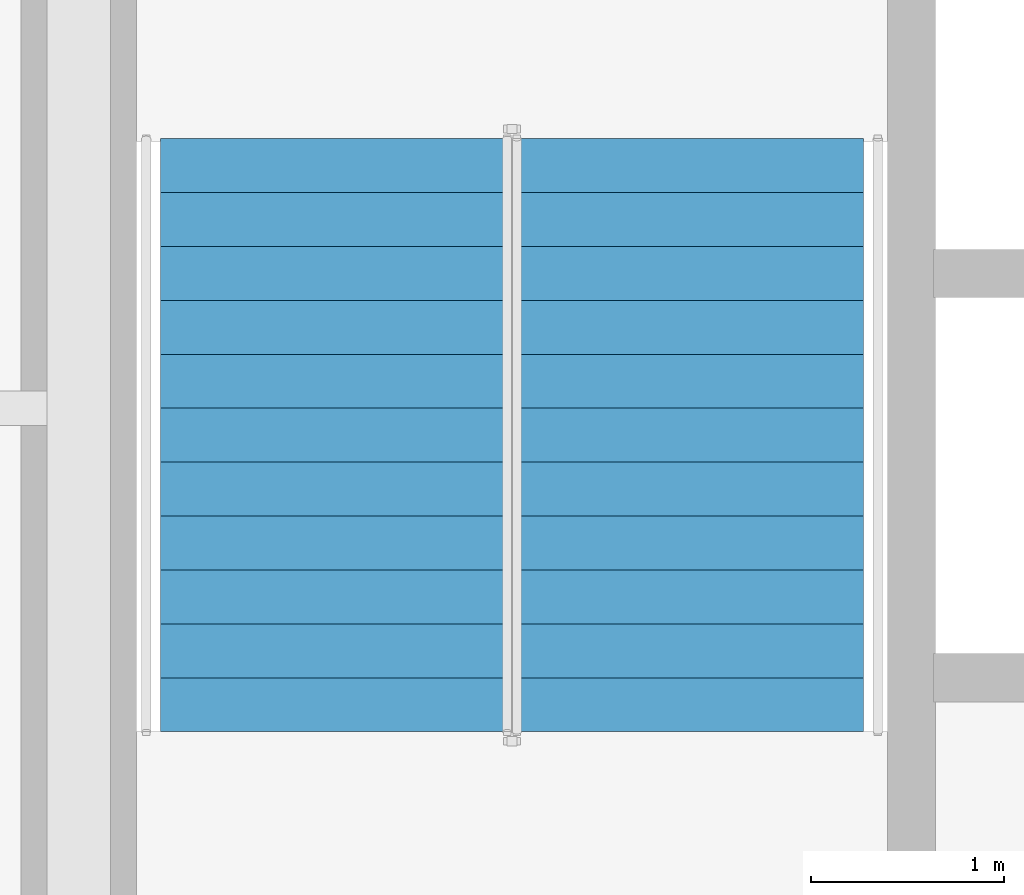
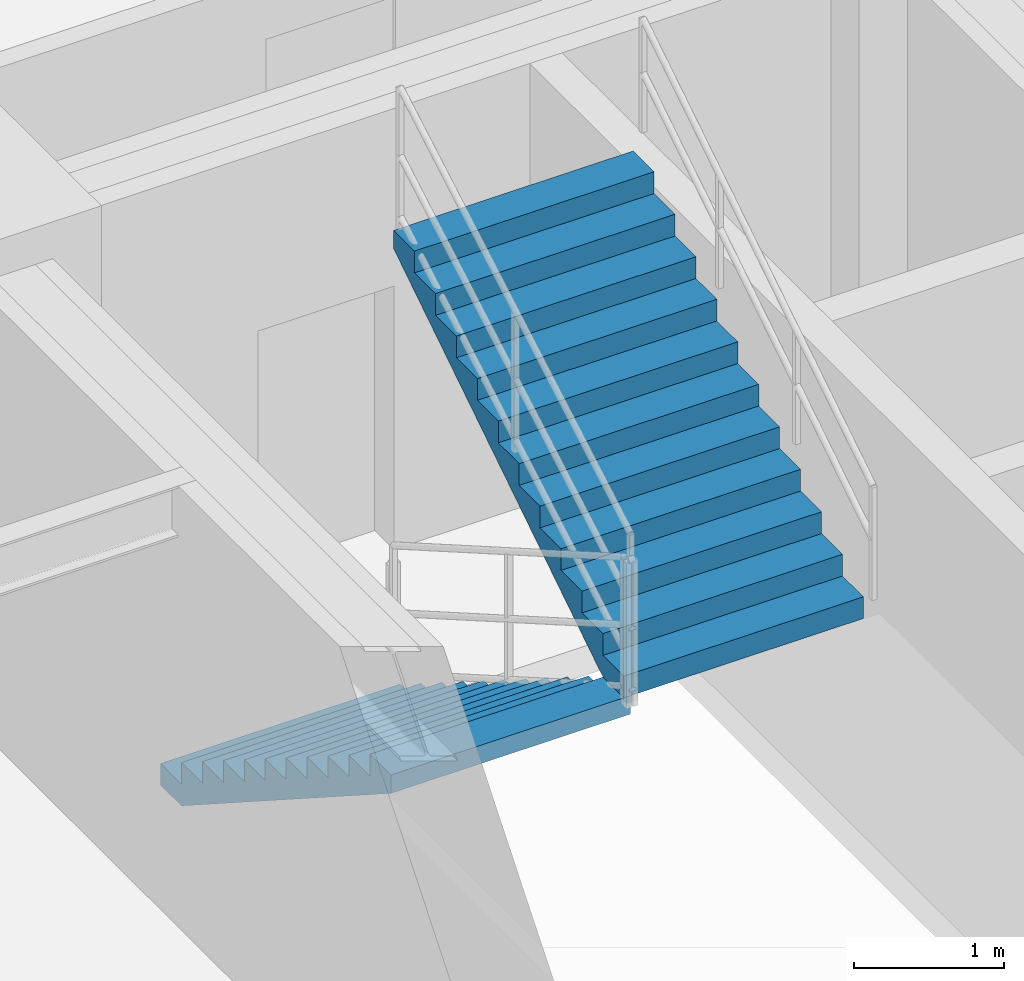
# One storey, part 7 of 10: 2 stair flights, 1 element without a shape of its own.
"""IFC4 building model written with IfcOpenShell, lengths in metres."""

from ifc_helpers import new_model, entity, si_unit, converted_unit, direction, frame, origin_with_axes, place, context, subcontext, project, spatial, polyline, outline, extrude, material, type_object, element, aggregate, save


model = new_model("IFC4")

# Units and contexts
model_context = context("Model", 3, precision=1e-05, world=origin_with_axes(), true_north=direction((0.0, 1.0)))
body_context = subcontext(model_context, "Body", "Model", "MODEL_VIEW")
ifc_project = project(units=[si_unit("LENGTHUNIT", "METRE"), si_unit("AREAUNIT", "SQUARE_METRE"), si_unit("VOLUMEUNIT", "CUBIC_METRE"), converted_unit("PLANEANGLEUNIT", "DEGREE", entity("IfcPlaneAngleMeasure", 0.017453292519943295), si_unit("PLANEANGLEUNIT", "RADIAN"), dimensions=[0, 0, 0, 0, 0, 0, 0]), si_unit("MASSUNIT", "GRAM", prefix="KILO"), si_unit("THERMODYNAMICTEMPERATUREUNIT", "KELVIN")], contexts=[model_context])

# Site, building, storey
site_placement = place(None, origin_with_axes())
site = spatial("IfcSite", under=ifc_project, at=site_placement, CompositionType="ELEMENT")
building_placement = place(site_placement, origin_with_axes())
building = spatial("IfcBuilding", under=site, at=building_placement, Name="Varnlund Millrace Tower", CompositionType="ELEMENT")
storey_placement = place(building_placement, frame((0.0, 0.0, 75.6), z_axis=(0.0, 0.0, 1.0), x_axis=(1.0, 0.0, 0.0)))
storey = spatial("IfcBuildingStorey", under=building, at=storey_placement, Name="L18", CompositionType="ELEMENT", Elevation=75.6)

# Stair, stair flights
ifc_material_1 = material(Name="Concrete C50/60", Category="concrete")
stair_type = type_object("IfcStairType", Name="Type-Stair-Dogleg-185-390", PredefinedType="HALF_TURN_STAIR", material=ifc_material_1)
stair_placement = place(storey_placement, origin_with_axes())
stair = element("IfcStair", 1, at=stair_placement, inside=storey, type_object=stair_type, Name="Type-Stair-Dogleg-185-390", PredefinedType="HALF_TURN_STAIR")
ifc_material_2 = material(Name="Precast concrete C50/60", Category="concrete")
stair_flight_type = type_object("IfcStairFlightType", Name="Type-Dogleg-Run-185-390", PredefinedType="STRAIGHT", material=ifc_material_2)
stair_flight_1_placement = place(storey_placement, frame((13.675, 35.9, 0.0), z_axis=(-1.0, 0.0, 0.0), x_axis=(0.0, -1.0, 0.0)))
stair_flight_1 = element("IfcStairFlight", 2, at=stair_flight_1_placement, type_object=stair_flight_type, Name="ST-A2 flight 1", NumberOfRisers=11, NumberOfTreads=11, PredefinedType="STRAIGHT", RiserHeight=0.177273, TreadLength=0.28, context=body_context, shape_type="SweptSolid", body=[
    extrude(outline(polyline([(0.0, 0.0), (0.0, 0.177273), (0.28, 0.177273), (0.28, 0.354545), (0.56, 0.354545), (0.56, 0.531818), (0.84, 0.531818), (0.84, 0.709091), (1.12, 0.709091), (1.12, 0.886364), (1.4, 0.886364), (1.4, 1.063636), (1.68, 1.063636), (1.68, 1.240909), (1.96, 1.240909), (1.96, 1.418182), (2.24, 1.418182), (2.24, 1.595454), (2.52, 1.595454), (2.52, 1.772727), (2.8, 1.772727), (2.8, 1.95), (3.08, 1.95), (3.08, 1.8), (0.28, 0.0), (0.0, 0.0)])), origin_with_axes(), (0.0, 0.0, 1.0), 1.85),
])
stair_flight_2_placement = place(storey_placement, frame((13.625, 32.82, 1.95), z_axis=(1.0, 0.0, 0.0), x_axis=(0.0, 1.0, 0.0)))
stair_flight_2 = element("IfcStairFlight", 3, at=stair_flight_2_placement, type_object=stair_flight_type, Name="ST-A2 flight 2", NumberOfRisers=11, NumberOfTreads=11, PredefinedType="STRAIGHT", RiserHeight=0.177273, TreadLength=0.28, context=body_context, shape_type="SweptSolid", body=[
    extrude(outline(polyline([(0.0, 0.0), (0.0, 0.177273), (0.28, 0.177273), (0.28, 0.354545), (0.56, 0.354545), (0.56, 0.531818), (0.84, 0.531818), (0.84, 0.709091), (1.12, 0.709091), (1.12, 0.886364), (1.4, 0.886364), (1.4, 1.063636), (1.68, 1.063636), (1.68, 1.240909), (1.96, 1.240909), (1.96, 1.418182), (2.24, 1.418182), (2.24, 1.595454), (2.52, 1.595454), (2.52, 1.772727), (2.8, 1.772727), (2.8, 1.95), (3.08, 1.95), (3.08, 1.8), (0.28, 0.0), (0.0, 0.0)])), origin_with_axes(), (0.0, 0.0, 1.0), 1.85),
])
aggregate(stair, [stair_flight_1, stair_flight_2])

save(model, "model.ifc")
